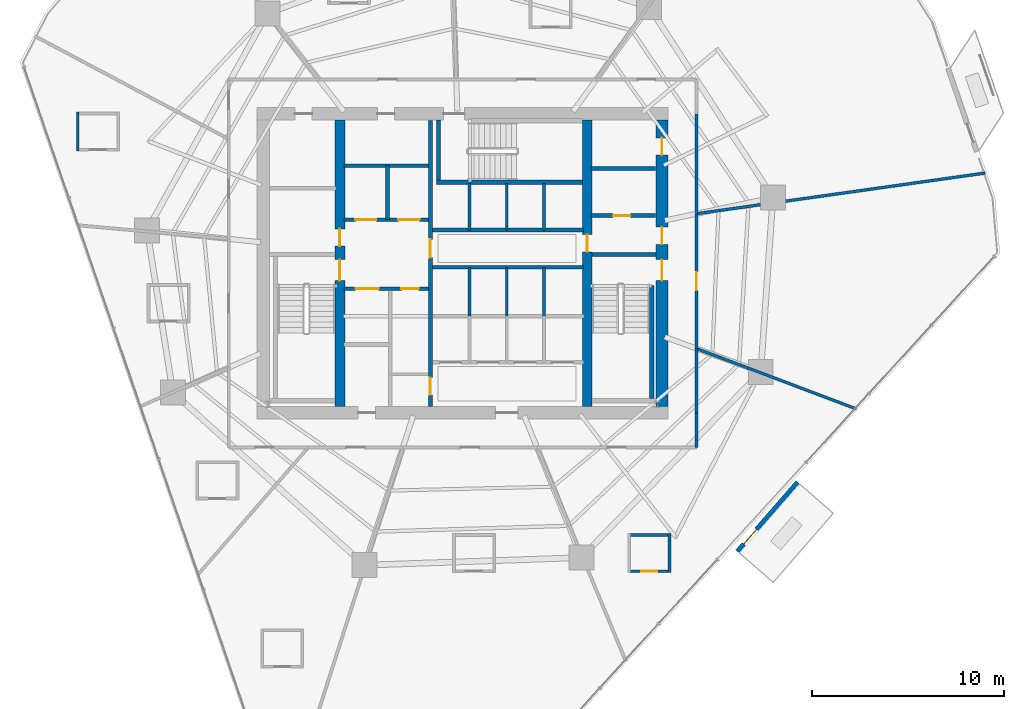
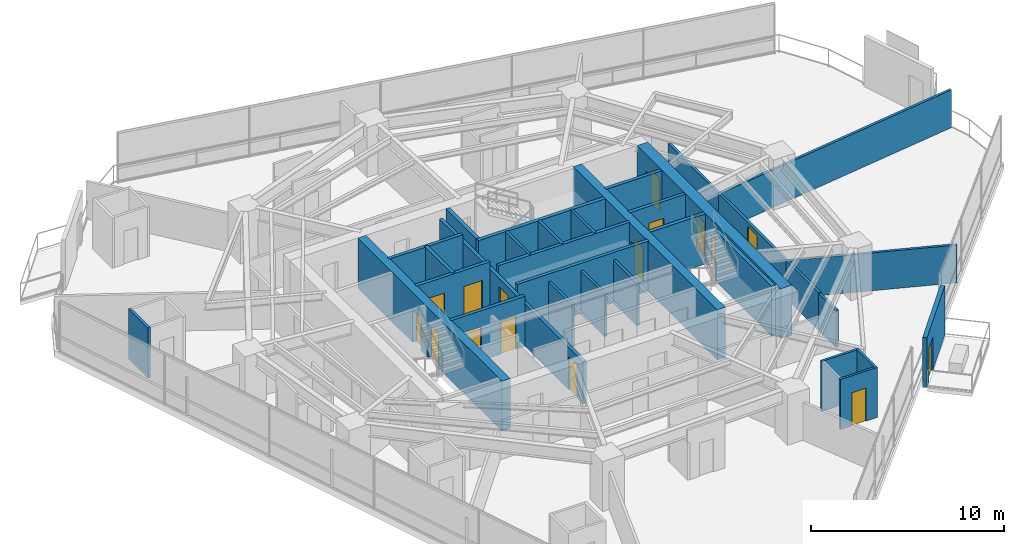
# One storey, part 27 of 33: 33 walls, 16 doors, 16 openings.
"""IFC4 building model written with IfcOpenShell, lengths in metres."""

from ifc_helpers import new_model, si_unit, direction, frame, frame_2d, origin, place, context, subcontext, project, spatial, rectangle, extrude, material, layer, layer_set, type_object, element, fill, save


model = new_model("IFC4")

# Units and contexts
model_context = context("Model", 3, precision=1e-05, world=origin(), true_north=direction((0.0, 1.0)))
body_context = subcontext(model_context, "Body", "Model", "MODEL_VIEW")
ifc_project = project(units=[si_unit("LENGTHUNIT", "METRE"), si_unit("AREAUNIT", "SQUARE_METRE"), si_unit("VOLUMEUNIT", "CUBIC_METRE"), si_unit("PLANEANGLEUNIT", "RADIAN"), si_unit("MASSUNIT", "GRAM", prefix="KILO")], contexts=[model_context])

# Site, building, storey
site_placement = place(None, origin())
site = spatial("IfcSite", under=ifc_project, at=site_placement, CompositionType="ELEMENT")
building_placement = place(site_placement, origin())
building = spatial("IfcBuilding", under=site, at=building_placement, Name="Qarnah Convention Tower", CompositionType="ELEMENT")
storey_placement = place(building_placement, frame((0.0, 0.0, 27.0)))
storey = spatial("IfcBuildingStorey", under=building, at=storey_placement, Name="L05", CompositionType="ELEMENT", Elevation=27.0)

# Wall, openings, doors
ifc_material_1 = material(Name="Concrete C60/75", Category="concrete")
ifc_layer_1 = layer(ifc_material_1, 0.64990234375)
ifc_layer_set_1 = layer_set([ifc_layer_1], Name="Concrete C60/75")
wall_type_1 = type_object("IfcWallType", Name="WL-CORE-650", PredefinedType="SHEAR", material=ifc_layer_set_1)
wall_1_placement = place(storey_placement, frame((47.60009765625, 18.925048828125, 0.0), z_axis=(0.0, 0.0, 1.0), x_axis=(0.0, 1.0, 0.0)))
wall_1 = element("IfcWall", 1, at=wall_1_placement, inside=storey, type_object=wall_type_1, Name="L05 core east shear wall", PredefinedType="SHEAR", context=body_context, shape_type="SweptSolid", body=[
    extrude(rectangle(XDim=14.949951171875, YDim=0.64990234375, at=frame_2d((7.47509765625, 0.0))), origin(), (0.0, 0.0, 1.0), 3.169921875),
])
opening_1_placement = place(wall_1_placement, frame((6.574951171875, 0.0, 0.0)))
opening_1 = element("IfcOpeningElement", 2, at=opening_1_placement, cuts=wall_1, Name="Opening D-0502", PredefinedType="OPENING", context=body_context, shape_type="SweptSolid", body=[
    extrude(rectangle(XDim=1.10009765625, YDim=2.14990234375, at=frame_2d((0.550048828125, 1.074951171875))), frame((0.0, 0.3349609375, 0.0), z_axis=(0.0, -1.0, 0.0), x_axis=(1.0, 0.0, 0.0)), (0.0, 0.0, 1.0), 0.669921875),
])
opening_2_placement = place(wall_1_placement, frame((8.47509765625, 0.0, 0.0)))
opening_2 = element("IfcOpeningElement", 3, at=opening_2_placement, cuts=wall_1, Name="Opening D-0506", PredefinedType="OPENING", context=body_context, shape_type="SweptSolid", body=[
    extrude(rectangle(XDim=0.89990234375, YDim=2.10009765625, at=frame_2d((0.449951171875, 1.050048828125))), frame((0.0, 0.3349609375, 0.0), z_axis=(0.0, -1.0, 0.0), x_axis=(1.0, 0.0, 0.0)), (0.0, 0.0, 1.0), 0.669921875),
])
opening_3_placement = place(wall_1_placement, frame((13.125, 0.0, 0.0)))
opening_3 = element("IfcOpeningElement", 4, at=opening_3_placement, cuts=wall_1, Name="Opening D-0512", PredefinedType="OPENING", context=body_context, shape_type="SweptSolid", body=[
    extrude(rectangle(XDim=0.89990234375, YDim=2.10009765625, at=frame_2d((0.449951171875, 1.050048828125))), frame((0.0, 0.3349609375, 0.0), z_axis=(0.0, -1.0, 0.0), x_axis=(1.0, 0.0, 0.0)), (0.0, 0.0, 1.0), 0.669921875),
])
ifc_material_2 = material(Name="Structural steel S355JR", Category="steel")
door_type_1 = type_object("IfcDoorType", Name="DT-RISER-900", OperationType="NOTDEFINED", PredefinedType="DOOR", material=ifc_material_2)
door_1_placement = place(opening_2_placement, origin())
door_1 = element("IfcDoor", 5, at=door_1_placement, inside=storey, type_object=door_type_1, Name="Door D-0506", OperationType="SINGLE_SWING_RIGHT", OverallHeight=2.10009765625, OverallWidth=0.89990234375, PredefinedType="DOOR", context=body_context, shape_type="SweptSolid", body=[
    extrude(rectangle(XDim=0.89990234375, YDim=2.10009765625, at=frame_2d((0.449951171875, 1.050048828125))), frame((0.0, 0.02490234375, 0.0), z_axis=(0.0, -1.0, 0.0), x_axis=(1.0, 0.0, 0.0)), (0.0, 0.0, 1.0), 0.050048828125),
])
fill(opening_2, door_1)
door_2_placement = place(opening_3_placement, origin())
door_2 = element("IfcDoor", 6, at=door_2_placement, inside=storey, type_object=door_type_1, Name="Door D-0512", OperationType="SINGLE_SWING_RIGHT", OverallHeight=2.10009765625, OverallWidth=0.89990234375, PredefinedType="DOOR", context=body_context, shape_type="SweptSolid", body=[
    extrude(rectangle(XDim=0.89990234375, YDim=2.10009765625, at=frame_2d((0.449951171875, 1.050048828125))), frame((0.0, 0.02490234375, 0.0), z_axis=(0.0, -1.0, 0.0), x_axis=(1.0, 0.0, 0.0)), (0.0, 0.0, 1.0), 0.050048828125),
])
fill(opening_3, door_2)
door_type_2 = type_object("IfcDoorType", Name="DT-STAIR-1100", OperationType="NOTDEFINED", PredefinedType="DOOR", material=ifc_material_2)
door_3_placement = place(opening_1_placement, origin())
door_3 = element("IfcDoor", 7, at=door_3_placement, inside=storey, type_object=door_type_2, Name="Door D-0502", OperationType="SINGLE_SWING_RIGHT", OverallHeight=2.14990234375, OverallWidth=1.10009765625, PredefinedType="DOOR", context=body_context, shape_type="SweptSolid", body=[
    extrude(rectangle(XDim=1.10009765625, YDim=2.14990234375, at=frame_2d((0.550048828125, 1.074951171875))), frame((0.0, 0.02490234375, 0.0), z_axis=(0.0, -1.0, 0.0), x_axis=(1.0, 0.0, 0.0)), (0.0, 0.0, 1.0), 0.050048828125),
])
fill(opening_1, door_3)

ifc_layer_2 = layer(ifc_material_1, 0.5)
ifc_layer_set_2 = layer_set([ifc_layer_2], Name="Concrete C60/75")
wall_type_2 = type_object("IfcWallType", Name="WL-CORE-INT-400", PredefinedType="SHEAR", material=ifc_layer_set_2)
wall_2_placement = place(storey_placement, frame((30.800048828125, 18.925048828125, 0.0), z_axis=(0.0, 0.0, 1.0), x_axis=(0.0, 1.0, 0.0)))
wall_2 = element("IfcWall", 8, at=wall_2_placement, inside=storey, type_object=wall_type_2, Name="L05 core west spine shear wall", PredefinedType="SHEAR", context=body_context, shape_type="SweptSolid", body=[
    extrude(rectangle(XDim=14.949951171875, YDim=0.5, at=frame_2d((7.47509765625, 0.0))), origin(), (0.0, 0.0, 1.0), 3.169921875),
])
opening_4_placement = place(wall_2_placement, frame((6.574951171875, 0.0, 0.0)))
opening_4 = element("IfcOpeningElement", 9, at=opening_4_placement, cuts=wall_2, Name="Opening D-0501", PredefinedType="OPENING", context=body_context, shape_type="SweptSolid", body=[
    extrude(rectangle(XDim=1.10009765625, YDim=2.14990234375, at=frame_2d((0.550048828125, 1.074951171875))), frame((0.0, 0.260009765625, 0.0), z_axis=(0.0, -1.0, 0.0), x_axis=(1.0, 0.0, 0.0)), (0.0, 0.0, 1.0), 0.52001953125),
])
opening_5_placement = place(wall_2_placement, frame((8.375, 0.0, 0.0)))
opening_5 = element("IfcOpeningElement", 10, at=opening_5_placement, cuts=wall_2, Name="Opening D-0508", PredefinedType="OPENING", context=body_context, shape_type="SweptSolid", body=[
    extrude(rectangle(XDim=0.89990234375, YDim=2.10009765625, at=frame_2d((0.449951171875, 1.050048828125))), frame((0.0, 0.260009765625, 0.0), z_axis=(0.0, -1.0, 0.0), x_axis=(1.0, 0.0, 0.0)), (0.0, 0.0, 1.0), 0.52001953125),
])
door_4_placement = place(opening_5_placement, origin())
door_4 = element("IfcDoor", 11, at=door_4_placement, inside=storey, type_object=door_type_1, Name="Door D-0508", OperationType="SINGLE_SWING_RIGHT", OverallHeight=2.10009765625, OverallWidth=0.89990234375, PredefinedType="DOOR", context=body_context, shape_type="SweptSolid", body=[
    extrude(rectangle(XDim=0.89990234375, YDim=2.10009765625, at=frame_2d((0.449951171875, 1.050048828125))), frame((0.0, 0.02490234375, 0.0), z_axis=(0.0, -1.0, 0.0), x_axis=(1.0, 0.0, 0.0)), (0.0, 0.0, 1.0), 0.050048828125),
])
fill(opening_5, door_4)
door_5_placement = place(opening_4_placement, origin())
door_5 = element("IfcDoor", 12, at=door_5_placement, inside=storey, type_object=door_type_2, Name="Door D-0501", OperationType="SINGLE_SWING_LEFT", OverallHeight=2.14990234375, OverallWidth=1.10009765625, PredefinedType="DOOR", context=body_context, shape_type="SweptSolid", body=[
    extrude(rectangle(XDim=1.10009765625, YDim=2.14990234375, at=frame_2d((0.550048828125, 1.074951171875))), frame((0.0, 0.02490234375, 0.0), z_axis=(0.0, -1.0, 0.0), x_axis=(1.0, 0.0, 0.0)), (0.0, 0.0, 1.0), 0.050048828125),
])
fill(opening_4, door_5)

# Wall, opening, door
wall_3_placement = place(storey_placement, frame((43.699951171875, 18.925048828125, 0.0), z_axis=(0.0, 0.0, 1.0), x_axis=(0.0, 1.0, 0.0)))
wall_3 = element("IfcWall", 13, at=wall_3_placement, inside=storey, type_object=wall_type_2, Name="L05 core east spine shear wall", PredefinedType="SHEAR", context=body_context, shape_type="SweptSolid", body=[
    extrude(rectangle(XDim=14.949951171875, YDim=0.5, at=frame_2d((7.47509765625, 0.0))), origin(), (0.0, 0.0, 1.0), 3.169921875),
])
opening_6_placement = place(wall_3_placement, frame((8.074951171875, 0.0, 0.0)))
opening_6 = element("IfcOpeningElement", 14, at=opening_6_placement, cuts=wall_3, Name="Opening D-0505", PredefinedType="OPENING", context=body_context, shape_type="SweptSolid", body=[
    extrude(rectangle(XDim=0.89990234375, YDim=2.10009765625, at=frame_2d((0.449951171875, 1.050048828125))), frame((0.0, 0.260009765625, 0.0), z_axis=(0.0, -1.0, 0.0), x_axis=(1.0, 0.0, 0.0)), (0.0, 0.0, 1.0), 0.52001953125),
])
door_6_placement = place(opening_6_placement, origin())
door_6 = element("IfcDoor", 15, at=door_6_placement, inside=storey, type_object=door_type_1, Name="Door D-0505", OperationType="SINGLE_SWING_LEFT", OverallHeight=2.10009765625, OverallWidth=0.89990234375, PredefinedType="DOOR", context=body_context, shape_type="SweptSolid", body=[
    extrude(rectangle(XDim=0.89990234375, YDim=2.10009765625, at=frame_2d((0.449951171875, 1.050048828125))), frame((0.0, 0.02490234375, 0.0), z_axis=(0.0, -1.0, 0.0), x_axis=(1.0, 0.0, 0.0)), (0.0, 0.0, 1.0), 0.050048828125),
])
fill(opening_6, door_6)

ifc_material_3 = material(Name="Concrete C45/55", Category="concrete")
ifc_layer_3 = layer(ifc_material_3, 0.199951171875)
ifc_layer_set_3 = layer_set([ifc_layer_3], Name="Concrete C45/55")
wall_type_3 = type_object("IfcWallType", Name="WL-CORE-PART-200", PredefinedType="SOLIDWALL", material=ifc_layer_set_3)
wall_4_placement = place(storey_placement, frame((43.89990234375, 28.89990234375, 0.0), z_axis=(0.0, 0.0, 1.0), x_axis=(1.0, 0.0, 0.0)))
wall_4 = element("IfcWall", 16, at=wall_4_placement, inside=storey, type_object=wall_type_3, Name="L05 interior wall IW-L05-EVSTN", PredefinedType="SOLIDWALL", context=body_context, shape_type="SweptSolid", body=[
    extrude(rectangle(XDim=3.35009765625, YDim=0.199951171875, at=frame_2d((1.675048828125, 0.0))), origin(), (0.0, 0.0, 1.0), 3.169921875),
])
opening_7_placement = place(wall_4_placement, frame((1.14990234375, 0.0, 0.0)))
opening_7 = element("IfcOpeningElement", 17, at=opening_7_placement, cuts=wall_4, Name="Opening D-0511", PredefinedType="OPENING", context=body_context, shape_type="SweptSolid", body=[
    extrude(rectangle(XDim=0.89990234375, YDim=2.10009765625, at=frame_2d((0.449951171875, 1.050048828125))), frame((0.0, 0.10986328125, 0.0), z_axis=(0.0, -1.0, 0.0), x_axis=(1.0, 0.0, 0.0)), (0.0, 0.0, 1.0), 0.219970703125),
])
door_7_placement = place(opening_7_placement, origin())
door_7 = element("IfcDoor", 18, at=door_7_placement, inside=storey, type_object=door_type_1, Name="Door D-0511", OperationType="SINGLE_SWING_LEFT", OverallHeight=2.10009765625, OverallWidth=0.89990234375, PredefinedType="DOOR", context=body_context, shape_type="SweptSolid", body=[
    extrude(rectangle(XDim=0.89990234375, YDim=2.10009765625, at=frame_2d((0.449951171875, 1.050048828125))), frame((0.0, 0.02490234375, 0.0), z_axis=(0.0, -1.0, 0.0), x_axis=(1.0, 0.0, 0.0)), (0.0, 0.0, 1.0), 0.050048828125),
])
fill(opening_7, door_7)

# Wall
wall_5_placement = place(storey_placement, frame((43.89990234375, 31.35009765625, 0.0), z_axis=(0.0, 0.0, 1.0), x_axis=(1.0, 0.0, 0.0)))
element("IfcWall", 19, at=wall_5_placement, inside=storey, type_object=wall_type_3, Name="L05 interior wall IW-L05-WTRN", PredefinedType="SOLIDWALL", context=body_context, shape_type="SweptSolid", body=[
    extrude(rectangle(XDim=3.35009765625, YDim=0.199951171875, at=frame_2d((1.675048828125, 0.0))), origin(), (0.0, 0.0, 1.0), 3.169921875),
])

# Wall, openings, doors
wall_6_placement = place(storey_placement, frame((35.52001953125, 18.949951171875, 0.0), z_axis=(0.0, 0.0, 1.0), x_axis=(0.0, 1.0, 0.0)))
wall_6 = element("IfcWall", 20, at=wall_6_placement, inside=storey, type_object=wall_type_3, Name="L05 interior wall IW-L05-CSP", PredefinedType="SOLIDWALL", context=body_context, shape_type="SweptSolid", body=[
    extrude(rectangle(XDim=14.900146484375, YDim=0.199951171875, at=frame_2d((7.4501953125, 0.0))), origin(), (0.0, 0.0, 1.0), 2.69091796875),
])
opening_8_placement = place(wall_6_placement, frame((7.7548828125, 0.0, 0.0)))
opening_8 = element("IfcOpeningElement", 21, at=opening_8_placement, cuts=wall_6, Name="Opening D-0504", PredefinedType="OPENING", context=body_context, shape_type="SweptSolid", body=[
    extrude(rectangle(XDim=0.949951171875, YDim=2.14990234375, at=frame_2d((0.47509765625, 1.074951171875))), frame((0.0, 0.10986328125, 0.0), z_axis=(0.0, -1.0, 0.0), x_axis=(1.0, 0.0, 0.0)), (0.0, 0.0, 1.0), 0.219970703125),
])
opening_9_placement = place(wall_6_placement, frame((0.60009765625, 0.0, 0.0)))
opening_9 = element("IfcOpeningElement", 22, at=opening_9_placement, cuts=wall_6, Name="Opening D-0514", PredefinedType="OPENING", context=body_context, shape_type="SweptSolid", body=[
    extrude(rectangle(XDim=0.89990234375, YDim=2.10009765625, at=frame_2d((0.449951171875, 1.050048828125))), frame((0.0, 0.10986328125, 0.0), z_axis=(0.0, -1.0, 0.0), x_axis=(1.0, 0.0, 0.0)), (0.0, 0.0, 1.0), 0.219970703125),
])
ifc_material_4 = material(Name="Oak timber veneer", Category="wood")
door_type_3 = type_object("IfcDoorType", Name="DT-HOTEL-950", OperationType="NOTDEFINED", PredefinedType="DOOR", material=ifc_material_4)
door_8_placement = place(opening_8_placement, origin())
door_8 = element("IfcDoor", 23, at=door_8_placement, inside=storey, type_object=door_type_3, Name="Door D-0504", OperationType="SINGLE_SWING_RIGHT", OverallHeight=2.14990234375, OverallWidth=0.949951171875, PredefinedType="DOOR", context=body_context, shape_type="SweptSolid", body=[
    extrude(rectangle(XDim=0.949951171875, YDim=2.14990234375, at=frame_2d((0.47509765625, 1.074951171875))), frame((0.0, 0.02490234375, 0.0), z_axis=(0.0, -1.0, 0.0), x_axis=(1.0, 0.0, 0.0)), (0.0, 0.0, 1.0), 0.050048828125),
])
fill(opening_8, door_8)
door_9_placement = place(opening_9_placement, origin())
door_9 = element("IfcDoor", 24, at=door_9_placement, inside=storey, type_object=door_type_1, Name="Door D-0514", OperationType="SINGLE_SWING_RIGHT", OverallHeight=2.10009765625, OverallWidth=0.89990234375, PredefinedType="DOOR", context=body_context, shape_type="SweptSolid", body=[
    extrude(rectangle(XDim=0.89990234375, YDim=2.10009765625, at=frame_2d((0.449951171875, 1.050048828125))), frame((0.0, 0.02490234375, 0.0), z_axis=(0.0, -1.0, 0.0), x_axis=(1.0, 0.0, 0.0)), (0.0, 0.0, 1.0), 0.050048828125),
])
fill(opening_9, door_9)

wall_7_placement = place(storey_placement, frame((31.0, 28.679931640625, 0.0), z_axis=(0.0, 0.0, 1.0), x_axis=(1.0, 0.0, 0.0)))
wall_7 = element("IfcWall", 25, at=wall_7_placement, inside=storey, type_object=wall_type_3, Name="L05 interior wall IW-L05-FFLS", PredefinedType="SOLIDWALL", context=body_context, shape_type="SweptSolid", body=[
    extrude(rectangle(XDim=4.419921875, YDim=0.199951171875, at=frame_2d((2.2099609375, 0.0))), origin(), (0.0, 0.0, 1.0), 3.169921875),
])
opening_10_placement = place(wall_7_placement, frame((0.60009765625, 0.0, 0.0)))
opening_10 = element("IfcOpeningElement", 26, at=opening_10_placement, cuts=wall_7, Name="Opening LD-0501", PredefinedType="OPENING", context=body_context, shape_type="SweptSolid", body=[
    extrude(rectangle(XDim=1.10009765625, YDim=2.14990234375, at=frame_2d((0.550048828125, 1.074951171875))), frame((0.0, 0.10986328125, 0.0), z_axis=(0.0, -1.0, 0.0), x_axis=(1.0, 0.0, 0.0)), (0.0, 0.0, 1.0), 0.219970703125),
])
opening_11_placement = place(wall_7_placement, frame((2.85009765625, 0.0, 0.0)))
opening_11 = element("IfcOpeningElement", 27, at=opening_11_placement, cuts=wall_7, Name="Opening LD-0502", PredefinedType="OPENING", context=body_context, shape_type="SweptSolid", body=[
    extrude(rectangle(XDim=1.10009765625, YDim=2.14990234375, at=frame_2d((0.550048828125, 1.074951171875))), frame((0.0, 0.10986328125, 0.0), z_axis=(0.0, -1.0, 0.0), x_axis=(1.0, 0.0, 0.0)), (0.0, 0.0, 1.0), 0.219970703125),
])
door_type_4 = type_object("IfcDoorType", Name="DT-LIFT-1100", OperationType="SLIDING_TO_LEFT", PredefinedType="DOOR", material=ifc_material_2)
door_10_placement = place(opening_10_placement, origin())
door_10 = element("IfcDoor", 28, at=door_10_placement, inside=storey, type_object=door_type_4, Name="Door LD-0501", OperationType="SLIDING_TO_LEFT", OverallHeight=2.14990234375, OverallWidth=1.10009765625, PredefinedType="DOOR", context=body_context, shape_type="SweptSolid", body=[
    extrude(rectangle(XDim=1.10009765625, YDim=2.14990234375, at=frame_2d((0.550048828125, 1.074951171875))), frame((0.0, 0.02490234375, 0.0), z_axis=(0.0, -1.0, 0.0), x_axis=(1.0, 0.0, 0.0)), (0.0, 0.0, 1.0), 0.050048828125),
])
fill(opening_10, door_10)
door_11_placement = place(opening_11_placement, origin())
door_11 = element("IfcDoor", 29, at=door_11_placement, inside=storey, type_object=door_type_4, Name="Door LD-0502", OperationType="SLIDING_TO_LEFT", OverallHeight=2.14990234375, OverallWidth=1.10009765625, PredefinedType="DOOR", context=body_context, shape_type="SweptSolid", body=[
    extrude(rectangle(XDim=1.10009765625, YDim=2.14990234375, at=frame_2d((0.550048828125, 1.074951171875))), frame((0.0, 0.02490234375, 0.0), z_axis=(0.0, -1.0, 0.0), x_axis=(1.0, 0.0, 0.0)), (0.0, 0.0, 1.0), 0.050048828125),
])
fill(opening_11, door_11)

# Walls
wall_8_placement = place(storey_placement, frame((31.0, 31.5, 0.0), z_axis=(0.0, 0.0, 1.0), x_axis=(1.0, 0.0, 0.0)))
element("IfcWall", 30, at=wall_8_placement, inside=storey, type_object=wall_type_3, Name="L05 interior wall IW-L05-FFLN", PredefinedType="SOLIDWALL", context=body_context, shape_type="SweptSolid", body=[
    extrude(rectangle(XDim=4.419921875, YDim=0.199951171875, at=frame_2d((2.2099609375, 0.0))), origin(), (0.0, 0.0, 1.0), 3.169921875),
])
wall_9_placement = place(storey_placement, frame((33.280029296875, 28.679931640625, 0.0), z_axis=(0.0, 0.0, 1.0), x_axis=(0.0, 1.0, 0.0)))
element("IfcWall", 31, at=wall_9_placement, inside=storey, type_object=wall_type_3, Name="L05 interior wall IW-L05-FFLM", PredefinedType="SOLIDWALL", context=body_context, shape_type="SweptSolid", body=[
    extrude(rectangle(XDim=2.820068359375, YDim=0.199951171875, at=frame_2d((1.41015625, 0.0))), origin(), (0.0, 0.0, 1.0), 3.169921875),
])

# Wall, openings, doors
wall_10_placement = place(storey_placement, frame((31.0, 25.080078125, 0.0), z_axis=(0.0, 0.0, 1.0), x_axis=(1.0, 0.0, 0.0)))
wall_10 = element("IfcWall", 32, at=wall_10_placement, inside=storey, type_object=wall_type_3, Name="L05 interior wall IW-L05-FFLBS", PredefinedType="SOLIDWALL", context=body_context, shape_type="SweptSolid", body=[
    extrude(rectangle(XDim=4.419921875, YDim=0.199951171875, at=frame_2d((2.2099609375, 0.0))), origin(), (0.0, 0.0, 1.0), 3.169921875),
])
opening_12_placement = place(wall_10_placement, frame((3.0, 0.0, 0.0)))
opening_12 = element("IfcOpeningElement", 33, at=opening_12_placement, cuts=wall_10, Name="Opening D-0515", PredefinedType="OPENING", context=body_context, shape_type="SweptSolid", body=[
    extrude(rectangle(XDim=0.89990234375, YDim=2.10009765625, at=frame_2d((0.449951171875, 1.050048828125))), frame((0.0, 0.10986328125, 0.0), z_axis=(0.0, -1.0, 0.0), x_axis=(1.0, 0.0, 0.0)), (0.0, 0.0, 1.0), 0.219970703125),
])
opening_13_placement = place(wall_10_placement, frame((0.6201171875, 0.0, 0.0)))
opening_13 = element("IfcOpeningElement", 34, at=opening_13_placement, cuts=wall_10, Name="Opening LD-0503", PredefinedType="OPENING", context=body_context, shape_type="SweptSolid", body=[
    extrude(rectangle(XDim=1.199951171875, YDim=2.14990234375, at=frame_2d((0.60009765625, 1.074951171875))), frame((0.0, 0.10986328125, 0.0), z_axis=(0.0, -1.0, 0.0), x_axis=(1.0, 0.0, 0.0)), (0.0, 0.0, 1.0), 0.219970703125),
])
door_type_5 = type_object("IfcDoorType", Name="DT-LIFT-1200", OperationType="SLIDING_TO_LEFT", PredefinedType="DOOR", material=ifc_material_2)
door_12_placement = place(opening_13_placement, origin())
door_12 = element("IfcDoor", 35, at=door_12_placement, inside=storey, type_object=door_type_5, Name="Door LD-0503", OperationType="SLIDING_TO_LEFT", OverallHeight=2.14990234375, OverallWidth=1.199951171875, PredefinedType="DOOR", context=body_context, shape_type="SweptSolid", body=[
    extrude(rectangle(XDim=1.199951171875, YDim=2.14990234375, at=frame_2d((0.60009765625, 1.074951171875))), frame((0.0, 0.02490234375, 0.0), z_axis=(0.0, -1.0, 0.0), x_axis=(1.0, 0.0, 0.0)), (0.0, 0.0, 1.0), 0.050048828125),
])
fill(opening_13, door_12)
door_13_placement = place(opening_12_placement, origin())
door_13 = element("IfcDoor", 36, at=door_13_placement, inside=storey, type_object=door_type_1, Name="Door D-0515", OperationType="SINGLE_SWING_LEFT", OverallHeight=2.10009765625, OverallWidth=0.89990234375, PredefinedType="DOOR", context=body_context, shape_type="SweptSolid", body=[
    extrude(rectangle(XDim=0.89990234375, YDim=2.10009765625, at=frame_2d((0.449951171875, 1.050048828125))), frame((0.0, 0.02490234375, 0.0), z_axis=(0.0, -1.0, 0.0), x_axis=(1.0, 0.0, 0.0)), (0.0, 0.0, 1.0), 0.050048828125),
])
fill(opening_12, door_13)

# Walls
for number, where, z_axis, x_axis, name in (
    (37, (35.6201171875, 28.14990234375, 0.0), (0.0, 0.0, 1.0), (1.0, 0.0, 0.0), "L05 interior wall IW-L05-PHS"),
    (38, (35.6201171875, 26.199951171875, 0.0), (0.0, 0.0, 1.0), (1.0, 0.0, 0.0), "L05 interior wall IW-L05-PMN"),
):
    element("IfcWall", number, at=place(storey_placement, frame(where, z_axis=z_axis, x_axis=x_axis)), inside=storey, type_object=wall_type_3, Name=name, PredefinedType="SOLIDWALL", context=body_context, shape_type="SweptSolid", body=[
        extrude(rectangle(XDim=7.8798828125, YDim=0.199951171875, at=frame_2d((3.93994140625, 0.0))), origin(), (0.0, 0.0, 1.0), 3.169921875),
    ])
ifc_layer_4 = layer(ifc_material_1, 0.219970703125)
ifc_layer_set_4 = layer_set([ifc_layer_4], Name="Concrete C60/75")
wall_type_4 = type_object("IfcWallType", Name="WL-CORE-STAIR-220", PredefinedType="SHEAR", material=ifc_layer_set_4)
wall_11_placement = place(storey_placement, frame((43.949951171875, 26.860107421875, 0.0), z_axis=(0.0, 0.0, 1.0), x_axis=(1.0, 0.0, 0.0)))
element("IfcWall", 39, at=wall_11_placement, inside=storey, type_object=wall_type_4, Name="L05 stair shaft shear wall SW-L05-ST2N", PredefinedType="SHEAR", context=body_context, shape_type="SweptSolid", body=[
    extrude(rectangle(XDim=3.324951171875, YDim=0.219970703125, at=frame_2d((1.66259765625, 0.0))), origin(), (0.0, 0.0, 1.0), 3.169921875),
])
wall_12_placement = place(storey_placement, frame((47.06005859375, 19.35009765625, 0.0), z_axis=(0.0, 0.0, 1.0), x_axis=(0.0, 1.0, 0.0)))
element("IfcWall", 40, at=wall_12_placement, inside=storey, type_object=wall_type_4, Name="L05 stair shaft shear wall SW-L05-ST2E", PredefinedType="SHEAR", context=body_context, shape_type="SweptSolid", body=[
    extrude(rectangle(XDim=5.89990234375, YDim=0.219970703125, at=frame_2d((2.949951171875, 0.0))), origin(), (0.0, 0.0, 1.0), 3.169921875),
])
wall_13_placement = place(storey_placement, frame((35.840087890625, 30.639892578125, 0.0), z_axis=(0.0, 0.0, 1.0), x_axis=(1.0, 0.0, 0.0)))
element("IfcWall", 41, at=wall_13_placement, inside=storey, type_object=wall_type_4, Name="L05 stair shaft shear wall SW-L05-ST3S", PredefinedType="SHEAR", context=body_context, shape_type="SweptSolid", body=[
    extrude(rectangle(XDim=7.60986328125, YDim=0.219970703125, at=frame_2d((3.804931640625, 0.0))), origin(), (0.0, 0.0, 1.0), 3.169921875),
])
wall_14_placement = place(storey_placement, frame((35.93994140625, 30.75, 0.0), z_axis=(0.0, 0.0, 1.0), x_axis=(0.0, 1.0, 0.0)))
element("IfcWall", 42, at=wall_14_placement, inside=storey, type_object=wall_type_4, Name="L05 stair shaft shear wall SW-L05-ST3W", PredefinedType="SHEAR", context=body_context, shape_type="SweptSolid", body=[
    extrude(rectangle(XDim=3.125, YDim=0.219970703125, at=frame_2d((1.5625, 0.0))), origin(), (0.0, 0.0, 1.0), 3.169921875),
])

# Wall, opening, door
ifc_material_5 = material(Name="Precast concrete C45/55", Category="concrete")
ifc_layer_5 = layer(ifc_material_5, 0.239990234375)
ifc_layer_set_5 = layer_set([ifc_layer_5], Name="Precast concrete C45/55")
wall_type_5 = type_object("IfcWallType", Name="WL-EXT-BAL-240", PredefinedType="SOLIDWALL", material=ifc_layer_set_5)
wall_15_placement = place(storey_placement, frame((54.677978515625, 14.9990234375, 0.0), z_axis=(0.0, 0.0, 1.0), x_axis=(-0.656428008084, -0.754388673167, 0.0)))
wall_15 = element("IfcWall", 43, at=wall_15_placement, inside=storey, type_object=wall_type_5, Name="L05 loggia threshold wall VN-L05", PredefinedType="SOLIDWALL", context=body_context, shape_type="SweptSolid", body=[
    extrude(rectangle(XDim=4.800048828125, YDim=0.239990234375, at=frame_2d((2.39990234375, 0.0))), origin(), (0.0, 0.0, 1.0), 3.169921875),
])
opening_14_placement = place(wall_15_placement, frame((3.280029296875, 0.0, 0.0)))
opening_14 = element("IfcOpeningElement", 44, at=opening_14_placement, cuts=wall_15, Name="Opening BD-0503", PredefinedType="OPENING", context=body_context, shape_type="SweptSolid", body=[
    extrude(rectangle(XDim=1.0, YDim=2.14990234375, at=frame_2d((0.5, 1.074951171875))), frame((0.0, 0.1298828125, 0.0), z_axis=(0.0, -1.0, 0.0), x_axis=(1.0, 0.0, 0.0)), (0.0, 0.0, 1.0), 0.260009765625),
])
ifc_material_6 = material(Name="Black anodised aluminium", Category="aluminium")
door_type_6 = type_object("IfcDoorType", Name="DT-BAL-1000", OperationType="NOTDEFINED", PredefinedType="DOOR", material=ifc_material_6)
door_14_placement = place(opening_14_placement, origin())
door_14 = element("IfcDoor", 45, at=door_14_placement, inside=storey, type_object=door_type_6, Name="L05 balcony terrace door VN-L05", OperationType="SINGLE_SWING_LEFT", OverallHeight=2.14990234375, OverallWidth=1.0, PredefinedType="DOOR", context=body_context, shape_type="SweptSolid", body=[
    extrude(rectangle(XDim=1.0, YDim=2.14990234375, at=frame_2d((0.5, 1.074951171875))), frame((0.0, 0.02490234375, 0.0), z_axis=(0.0, -1.0, 0.0), x_axis=(1.0, 0.0, 0.0)), (0.0, 0.0, 1.0), 0.050048828125),
])
fill(opening_14, door_14)

# Walls
ifc_material_7 = material(Name="Gypsum partition board")
ifc_layer_6 = layer(ifc_material_7, 0.14990234375)
ifc_layer_set_6 = layer_set([ifc_layer_6], Name="Gypsum partition board")
wall_type_6 = type_object("IfcWallType", Name="WL-SUITE-150", PredefinedType="PARTITIONING", material=ifc_layer_set_6)
for number, where, z_axis, x_axis, name in (
    (46, (37.550048828125, 28.14990234375, 0.0), (0.0, 0.0, 1.0), (0.0, 1.0, 0.0), "L05 interior wall IW-L05-PHD1"),
    (47, (39.5, 28.14990234375, 0.0), (0.0, 0.0, 1.0), (0.0, 1.0, 0.0), "L05 interior wall IW-L05-PHD2"),
    (48, (41.449951171875, 28.14990234375, 0.0), (0.0, 0.0, 1.0), (0.0, 1.0, 0.0), "L05 interior wall IW-L05-PHD3"),
):
    element("IfcWall", number, at=place(storey_placement, frame(where, z_axis=z_axis, x_axis=x_axis)), inside=storey, type_object=wall_type_6, Name=name, PredefinedType="PARTITIONING", context=body_context, shape_type="SweptSolid", body=[
        extrude(rectangle(XDim=2.43017578125, YDim=0.14990234375, at=frame_2d((1.215087890625, 0.0))), origin(), (0.0, 0.0, 1.0), 3.169921875),
    ])
for number, where, z_axis, x_axis, name in (
    (49, (37.550048828125, 23.64990234375, 0.0), (0.0, 0.0, 1.0), (0.0, 1.0, 0.0), "L05 interior wall IW-L05-PMD1"),
    (50, (39.5, 23.64990234375, 0.0), (0.0, 0.0, 1.0), (0.0, 1.0, 0.0), "L05 interior wall IW-L05-PMD2"),
    (51, (41.449951171875, 23.64990234375, 0.0), (0.0, 0.0, 1.0), (0.0, 1.0, 0.0), "L05 interior wall IW-L05-PMD3"),
):
    element("IfcWall", number, at=place(storey_placement, frame(where, z_axis=z_axis, x_axis=x_axis)), inside=storey, type_object=wall_type_6, Name=name, PredefinedType="PARTITIONING", context=body_context, shape_type="SweptSolid", body=[
        extrude(rectangle(XDim=2.550048828125, YDim=0.14990234375, at=frame_2d((1.27490234375, 0.0))), origin(), (0.0, 0.0, 1.0), 2.69091796875),
    ])
wall_16_placement = place(storey_placement, frame((49.39990234375, 34.199951171875, 0.0), z_axis=(0.0, 0.0, 1.0), x_axis=(0.0, -1.0, 0.0)))
element("IfcWall", 52, at=wall_16_placement, inside=storey, type_object=wall_type_6, Name="L05 interior wall IW-L05-R-40", PredefinedType="PARTITIONING", context=body_context, shape_type="SweptSolid", body=[
    extrude(rectangle(XDim=5.20703125, YDim=0.14990234375, at=frame_2d((2.603515625, 0.0))), origin(), (0.0, 0.0, 1.0), 2.39501953125),
])
wall_17_placement = place(storey_placement, frame((49.39990234375, 28.992919921875, 0.0), z_axis=(0.0, 0.0, 1.0), x_axis=(0.990209136723, 0.139591781813, 0.0)))
element("IfcWall", 53, at=wall_17_placement, inside=storey, type_object=wall_type_6, Name="L05 interior wall IW-L05-R-41", PredefinedType="PARTITIONING", context=body_context, shape_type="SweptSolid", body=[
    extrude(rectangle(XDim=15.208984375, YDim=0.14990234375, at=frame_2d((7.6044921875, 0.0))), origin(), (0.0, 0.0, 1.0), 2.39501953125),
])
wall_18_placement = place(storey_placement, frame((57.73193359375, 18.81396484375, 0.0), z_axis=(0.0, 0.0, 1.0), x_axis=(-0.935533704254, 0.353237438848, 0.0)))
element("IfcWall", 54, at=wall_18_placement, inside=storey, type_object=wall_type_6, Name="L05 interior wall IW-L05-R-62", PredefinedType="PARTITIONING", context=body_context, shape_type="SweptSolid", body=[
    extrude(rectangle(XDim=8.90625, YDim=0.14990234375, at=frame_2d((4.453125, 0.0))), origin(), (0.0, 0.0, 1.0), 2.39501953125),
])
wall_19_placement = place(storey_placement, frame((49.39990234375, 21.9599609375, 0.0), z_axis=(0.0, 0.0, 1.0), x_axis=(0.0, -1.0, 0.0)))
element("IfcWall", 55, at=wall_19_placement, inside=storey, type_object=wall_type_6, Name="L05 interior wall IW-L05-R-63", PredefinedType="PARTITIONING", context=body_context, shape_type="SweptSolid", body=[
    extrude(rectangle(XDim=3.35986328125, YDim=0.14990234375, at=frame_2d((1.679931640625, 0.0))), origin(), (0.0, 0.0, 1.0), 2.39501953125),
])
wall_20_placement = place(storey_placement, frame((49.39990234375, 18.60009765625, 0.0), z_axis=(0.0, 0.0, 1.0), x_axis=(0.0, -1.0, 0.0)))
element("IfcWall", 56, at=wall_20_placement, inside=storey, type_object=wall_type_6, Name="L05 interior wall IW-L05-R-64", PredefinedType="PARTITIONING", context=body_context, shape_type="SweptSolid", body=[
    extrude(rectangle(XDim=1.800048828125, YDim=0.14990234375, at=frame_2d((0.89990234375, 0.0))), origin(), (0.0, 0.0, 1.0), 2.35498046875),
])

# Wall, opening, door
wall_21_placement = place(storey_placement, frame((49.39990234375, 28.992919921875, 0.0), z_axis=(0.0, 0.0, 1.0), x_axis=(0.0, -1.0, 0.0)))
wall_21 = element("IfcWall", 57, at=wall_21_placement, inside=storey, type_object=wall_type_6, Name="L05 interior wall IW-L05-R-66", PredefinedType="PARTITIONING", context=body_context, shape_type="SweptSolid", body=[
    extrude(rectangle(XDim=7.032958984375, YDim=0.14990234375, at=frame_2d((3.5166015625, 0.0))), origin(), (0.0, 0.0, 1.0), 2.39501953125),
])
opening_15_placement = place(wall_21_placement, frame((3.041015625, 0.0, 0.0)))
opening_15 = element("IfcOpeningElement", 58, at=opening_15_placement, cuts=wall_21, Name="Opening D-0535", PredefinedType="OPENING", context=body_context, shape_type="SweptSolid", body=[
    extrude(rectangle(XDim=0.949951171875, YDim=2.14990234375, at=frame_2d((0.47509765625, 1.074951171875))), frame((0.0, 0.0849609375, 0.0), z_axis=(0.0, -1.0, 0.0), x_axis=(1.0, 0.0, 0.0)), (0.0, 0.0, 1.0), 0.169921875),
])
door_15_placement = place(opening_15_placement, origin())
door_15 = element("IfcDoor", 59, at=door_15_placement, inside=storey, type_object=door_type_3, Name="Door D-0535", OperationType="SINGLE_SWING_LEFT", OverallHeight=2.14990234375, OverallWidth=0.949951171875, PredefinedType="DOOR", context=body_context, shape_type="SweptSolid", body=[
    extrude(rectangle(XDim=0.949951171875, YDim=2.14990234375, at=frame_2d((0.47509765625, 1.074951171875))), frame((0.0, 0.02490234375, 0.0), z_axis=(0.0, -1.0, 0.0), x_axis=(1.0, 0.0, 0.0)), (0.0, 0.0, 1.0), 0.050048828125),
])
fill(opening_15, door_15)

# Wall
ifc_layer_7 = layer(ifc_material_7, 0.139892578125)
ifc_layer_set_7 = layer_set([ifc_layer_7], Name="Gypsum partition board")
wall_type_7 = type_object("IfcWallType", Name="WL-WET-140", PredefinedType="PARTITIONING", material=ifc_layer_set_7)
wall_22_placement = place(storey_placement, frame((17.126953125, 34.294921875, 0.0), z_axis=(0.0, 0.0, 1.0), x_axis=(0.0, -1.0, 0.0)))
element("IfcWall", 60, at=wall_22_placement, inside=storey, type_object=wall_type_7, Name="L05 interior wall IW-L05-ENS04-4", PredefinedType="PARTITIONING", context=body_context, shape_type="SweptSolid", body=[
    extrude(rectangle(XDim=2.0400390625, YDim=0.139892578125, at=frame_2d((1.02001953125, 0.0))), origin(), (0.0, 0.0, 1.0), 3.169921875),
])

# Wall, opening, door
wall_23_placement = place(storey_placement, frame((45.819091796875, 10.3369140625, 0.0), z_axis=(0.0, 0.0, 1.0), x_axis=(1.0, 0.0, 0.0)))
wall_23 = element("IfcWall", 61, at=wall_23_placement, inside=storey, type_object=wall_type_7, Name="L05 interior wall IW-L05-ENS09-1", PredefinedType="PARTITIONING", context=body_context, shape_type="SweptSolid", body=[
    extrude(rectangle(XDim=2.239990234375, YDim=0.139892578125, at=frame_2d((1.1201171875, 0.0))), origin(), (0.0, 0.0, 1.0), 3.169921875),
])
opening_16_placement = place(wall_23_placement, frame((0.695068359375, 0.0, 0.0)))
opening_16 = element("IfcOpeningElement", 62, at=opening_16_placement, cuts=wall_23, Name="Opening D-0534", PredefinedType="OPENING", context=body_context, shape_type="SweptSolid", body=[
    extrude(rectangle(XDim=0.85009765625, YDim=2.10009765625, at=frame_2d((0.425048828125, 1.050048828125))), frame((0.0, 0.079833984375, 0.0), z_axis=(0.0, -1.0, 0.0), x_axis=(1.0, 0.0, 0.0)), (0.0, 0.0, 1.0), 0.159912109375),
])
door_type_7 = type_object("IfcDoorType", Name="DT-BATH-850", OperationType="NOTDEFINED", PredefinedType="DOOR", material=ifc_material_4)
door_16_placement = place(opening_16_placement, origin())
door_16 = element("IfcDoor", 63, at=door_16_placement, inside=storey, type_object=door_type_7, Name="Door D-0534", OperationType="SINGLE_SWING_RIGHT", OverallHeight=2.10009765625, OverallWidth=0.85009765625, PredefinedType="DOOR", context=body_context, shape_type="SweptSolid", body=[
    extrude(rectangle(XDim=0.85009765625, YDim=2.10009765625, at=frame_2d((0.425048828125, 1.050048828125))), frame((0.0, 0.02490234375, 0.0), z_axis=(0.0, -1.0, 0.0), x_axis=(1.0, 0.0, 0.0)), (0.0, 0.0, 1.0), 0.050048828125),
])
fill(opening_16, door_16)

# Walls
wall_24_placement = place(storey_placement, frame((47.989013671875, 10.26708984375, 0.0), z_axis=(0.0, 0.0, 1.0), x_axis=(0.0, 1.0, 0.0)))
element("IfcWall", 64, at=wall_24_placement, inside=storey, type_object=wall_type_7, Name="L05 interior wall IW-L05-ENS09-2", PredefinedType="PARTITIONING", context=body_context, shape_type="SweptSolid", body=[
    extrude(rectangle(XDim=2.039794921875, YDim=0.139892578125, at=frame_2d((1.02001953125, 0.0))), origin(), (0.0, 0.0, 1.0), 3.169921875),
])
wall_25_placement = place(storey_placement, frame((48.05908203125, 12.237060546875, 0.0), z_axis=(0.0, 0.0, 1.0), x_axis=(-1.0, 0.0, 0.0)))
element("IfcWall", 65, at=wall_25_placement, inside=storey, type_object=wall_type_7, Name="L05 interior wall IW-L05-ENS09-3", PredefinedType="PARTITIONING", context=body_context, shape_type="SweptSolid", body=[
    extrude(rectangle(XDim=2.239990234375, YDim=0.139892578125, at=frame_2d((1.1201171875, 0.0))), origin(), (0.0, 0.0, 1.0), 3.169921875),
])

save(model, "model.ifc")
